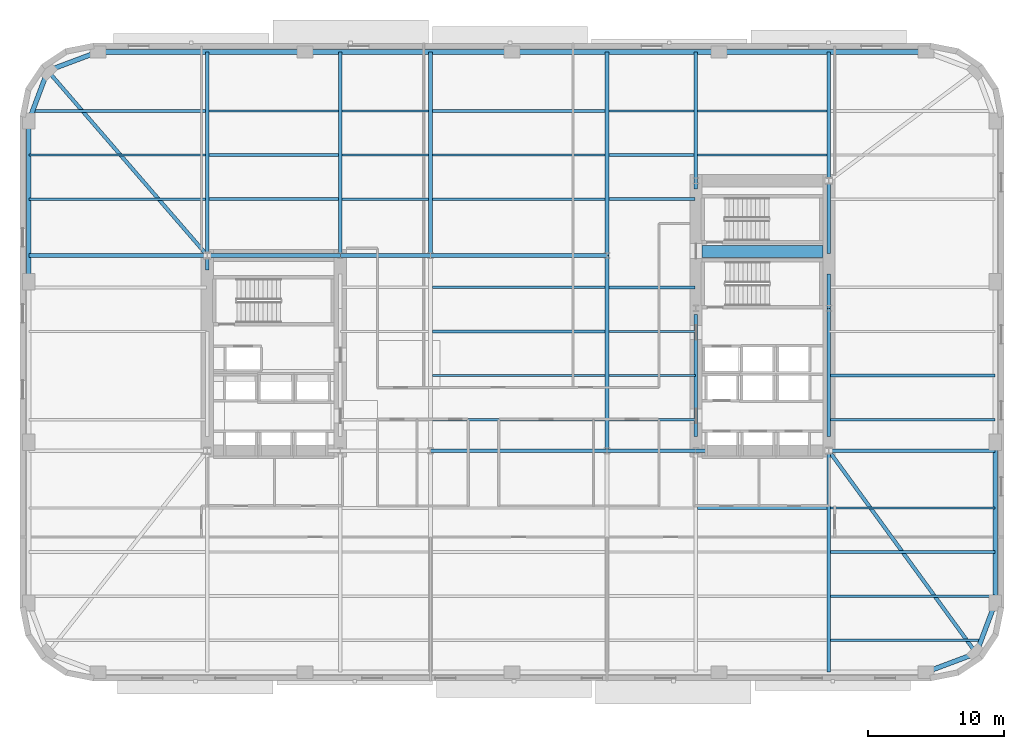
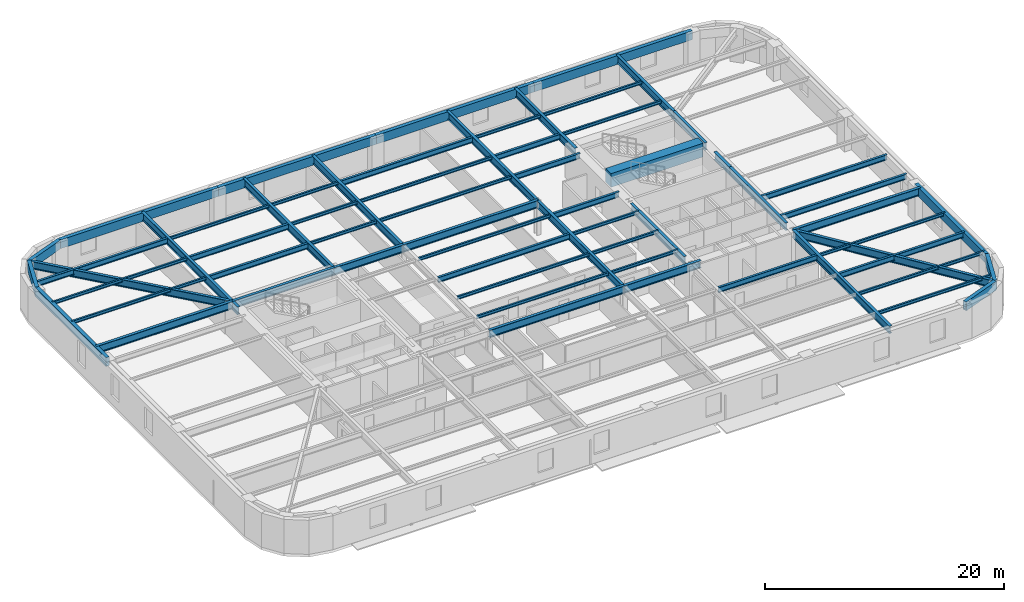
# One storey, part 2 of 14: 64 beams.
"""IFC4 building model written with IfcOpenShell, lengths in metres."""

from ifc_helpers import new_model, si_unit, direction, frame, origin, origin_2d, place, context, subcontext, project, spatial, rectangle, hollow_rectangle, i_section, extrude, material, material_profile, profile_set, type_object, element, save


model = new_model("IFC4")

# Units and contexts
model_context = context("Model", 3, precision=1e-05, world=origin(), true_north=direction((0.0, 1.0)))
body_context = subcontext(model_context, "Body", "Model", "MODEL_VIEW")
ifc_project = project(units=[si_unit("LENGTHUNIT", "METRE"), si_unit("AREAUNIT", "SQUARE_METRE"), si_unit("VOLUMEUNIT", "CUBIC_METRE"), si_unit("PLANEANGLEUNIT", "RADIAN"), si_unit("MASSUNIT", "GRAM", prefix="KILO")], contexts=[model_context])

# Site, building, storey
site_placement = place(None, origin())
site = spatial("IfcSite", under=ifc_project, at=site_placement, CompositionType="ELEMENT")
building_placement = place(site_placement, origin())
building = spatial("IfcBuilding", under=site, at=building_placement, Name="Kolvaren Arena Tower", CompositionType="ELEMENT")
storey_placement = place(building_placement, frame((0.0, 0.0, 79.5)))
storey = spatial("IfcBuildingStorey", under=building, at=storey_placement, Name="L17", CompositionType="ELEMENT", Elevation=79.5)

# Beams
ifc_material_1 = material(Name="Steel CSA G40.21 350W", Category="steel")
ifc_material_profile_1 = material_profile(ifc_material_1, i_section(OverallWidth=0.2119140625, OverallDepth=0.54296875, WebThickness=0.01318359375, FlangeThickness=0.0244140625, FilletRadius=0.013916015625, at=origin_2d()), Name="W530x150")
ifc_profile_set_1 = profile_set([ifc_material_profile_1], Name="Steel CSA G40.21 350W")
beam_type_1 = type_object("IfcBeamType", Name="BEAM-F1", PredefinedType="BEAM", material=ifc_profile_set_1)
beam_1_placement = place(storey_placement, frame((60.485107421875, 12.0, 3.20849609375), z_axis=(1.0, 0.0, 0.0), x_axis=(0.0, 1.0, 0.0)))
element("IfcBeam", 1, at=beam_1_placement, inside=storey, type_object=beam_type_1, Name="Composite Floor Beam (L17)", PredefinedType="BEAM", context=body_context, shape_type="SweptSolid", body=[
    extrude(i_section(OverallWidth=0.2119140625, OverallDepth=0.54296875, WebThickness=0.01318359375, FlangeThickness=0.0244140625, FilletRadius=0.013916015625, at=origin_2d()), origin(), (0.0, 0.0, 1.0), 12.114990234375),
])
beam_2_placement = place(storey_placement, frame((50.68505859375, 15.25, 3.20849609375), z_axis=(1.0, 0.0, 0.0), x_axis=(0.0, 1.0, 0.0)))
element("IfcBeam", 2, at=beam_2_placement, inside=storey, type_object=beam_type_1, Name="Composite Floor Beam (L17)", PredefinedType="BEAM", context=body_context, shape_type="SweptSolid", body=[
    extrude(i_section(OverallWidth=0.2119140625, OverallDepth=0.54296875, WebThickness=0.01318359375, FlangeThickness=0.0244140625, FilletRadius=0.013916015625, at=origin_2d()), origin(), (0.0, 0.0, 1.0), 9.530029296875),
])
for number, where, z_axis, x_axis, name in (
    (3, (60.3701171875, 21.75, 3.20849609375), (1.0, 0.0, 0.0), (0.0, 1.0, 0.0), "Composite Floor Beam (L17)"),
    (4, (60.3701171875, 25.0, 3.20849609375), (1.0, 0.0, 0.0), (0.0, 1.0, 0.0), "Composite Floor Beam (L17)"),
):
    element("IfcBeam", number, at=place(storey_placement, frame(where, z_axis=z_axis, x_axis=x_axis)), inside=storey, type_object=beam_type_1, Name=name, PredefinedType="BEAM", context=body_context, shape_type="SweptSolid", body=[
        extrude(i_section(OverallWidth=0.2119140625, OverallDepth=0.54296875, WebThickness=0.01318359375, FlangeThickness=0.0244140625, FilletRadius=0.013916015625, at=origin_2d()), origin(), (0.0, 0.0, 1.0), 12.22998046875),
    ])
beam_3_placement = place(storey_placement, frame((31.135009765625, 28.25, 3.20849609375), z_axis=(1.0, 0.0, 0.0), x_axis=(0.0, 1.0, 0.0)))
element("IfcBeam", 5, at=beam_3_placement, inside=storey, type_object=beam_type_1, Name="Composite Floor Beam (L17)", PredefinedType="BEAM", context=body_context, shape_type="SweptSolid", body=[
    extrude(i_section(OverallWidth=0.2119140625, OverallDepth=0.54296875, WebThickness=0.01318359375, FlangeThickness=0.0244140625, FilletRadius=0.013916015625, at=origin_2d()), origin(), (0.0, 0.0, 1.0), 12.72998046875),
])
beam_4_placement = place(storey_placement, frame((44.135009765625, 31.5, 3.20849609375), z_axis=(1.0, 0.0, 0.0), x_axis=(0.0, 1.0, 0.0)))
element("IfcBeam", 6, at=beam_4_placement, inside=storey, type_object=beam_type_1, Name="Composite Floor Beam (L17)", PredefinedType="BEAM", context=body_context, shape_type="SweptSolid", body=[
    extrude(i_section(OverallWidth=0.2119140625, OverallDepth=0.54296875, WebThickness=0.01318359375, FlangeThickness=0.0244140625, FilletRadius=0.013916015625, at=origin_2d()), origin(), (0.0, 0.0, 1.0), 6.344970703125),
])
beam_5_placement = place(storey_placement, frame((14.68505859375, 38.0, 3.20849609375), z_axis=(1.0, 0.0, 0.0), x_axis=(0.0, 1.0, 0.0)))
element("IfcBeam", 7, at=beam_5_placement, inside=storey, type_object=beam_type_1, Name="Composite Floor Beam (L17)", PredefinedType="BEAM", context=body_context, shape_type="SweptSolid", body=[
    extrude(i_section(OverallWidth=0.2119140625, OverallDepth=0.54296875, WebThickness=0.01318359375, FlangeThickness=0.0244140625, FilletRadius=0.013916015625, at=origin_2d()), origin(), (0.0, 0.0, 1.0), 9.530029296875),
])
beam_6_placement = place(storey_placement, frame((44.135009765625, 38.0, 3.20849609375), z_axis=(1.0, 0.0, 0.0), x_axis=(0.0, 1.0, 0.0)))
element("IfcBeam", 8, at=beam_6_placement, inside=storey, type_object=beam_type_1, Name="Composite Floor Beam (L17)", PredefinedType="BEAM", context=body_context, shape_type="SweptSolid", body=[
    extrude(i_section(OverallWidth=0.2119140625, OverallDepth=0.54296875, WebThickness=0.01318359375, FlangeThickness=0.0244140625, FilletRadius=0.013916015625, at=origin_2d()), origin(), (0.0, 0.0, 1.0), 6.344970703125),
])
beam_7_placement = place(storey_placement, frame((14.68505859375, 41.25, 3.20849609375), z_axis=(1.0, 0.0, 0.0), x_axis=(0.0, 1.0, 0.0)))
element("IfcBeam", 9, at=beam_7_placement, inside=storey, type_object=beam_type_1, Name="Composite Floor Beam (L17)", PredefinedType="BEAM", context=body_context, shape_type="SweptSolid", body=[
    extrude(i_section(OverallWidth=0.2119140625, OverallDepth=0.54296875, WebThickness=0.01318359375, FlangeThickness=0.0244140625, FilletRadius=0.013916015625, at=origin_2d()), origin(), (0.0, 0.0, 1.0), 9.530029296875),
])
beam_8_placement = place(storey_placement, frame((44.135009765625, 41.25, 3.20849609375), z_axis=(1.0, 0.0, 0.0), x_axis=(0.0, 1.0, 0.0)))
element("IfcBeam", 10, at=beam_8_placement, inside=storey, type_object=beam_type_1, Name="Composite Floor Beam (L17)", PredefinedType="BEAM", context=body_context, shape_type="SweptSolid", body=[
    extrude(i_section(OverallWidth=0.2119140625, OverallDepth=0.54296875, WebThickness=0.01318359375, FlangeThickness=0.0244140625, FilletRadius=0.013916015625, at=origin_2d()), origin(), (0.0, 0.0, 1.0), 6.280029296875),
])
beam_9_placement = place(storey_placement, frame((1.681396484375, 44.5, 3.20849609375), z_axis=(1.0, 0.0, 0.0), x_axis=(0.0, 1.0, 0.0)))
element("IfcBeam", 11, at=beam_9_placement, inside=storey, type_object=beam_type_1, Name="Composite Floor Beam (L17)", PredefinedType="BEAM", context=body_context, shape_type="SweptSolid", body=[
    extrude(i_section(OverallWidth=0.2119140625, OverallDepth=0.54296875, WebThickness=0.01318359375, FlangeThickness=0.0244140625, FilletRadius=0.013916015625, at=origin_2d()), origin(), (0.0, 0.0, 1.0), 12.733642578125),
])
beam_10_placement = place(storey_placement, frame((31.135009765625, 44.5, 3.20849609375), z_axis=(1.0, 0.0, 0.0), x_axis=(0.0, 1.0, 0.0)))
element("IfcBeam", 12, at=beam_10_placement, inside=storey, type_object=beam_type_1, Name="Composite Floor Beam (L17)", PredefinedType="BEAM", context=body_context, shape_type="SweptSolid", body=[
    extrude(i_section(OverallWidth=0.2119140625, OverallDepth=0.54296875, WebThickness=0.01318359375, FlangeThickness=0.0244140625, FilletRadius=0.013916015625, at=origin_2d()), origin(), (0.0, 0.0, 1.0), 12.72998046875),
])
ifc_material_2 = material(Name="Concrete 75 MPa", Category="concrete")
ifc_material_profile_2 = material_profile(ifc_material_2, rectangle(XDim=0.89990234375, YDim=1.39990234375, at=origin_2d()), Name="RC-900x1400")
ifc_profile_set_2 = profile_set([ifc_material_profile_2], Name="Concrete 75 MPa")
beam_type_2 = type_object("IfcBeamType", Name="CB-CORE-1", PredefinedType="BEAM", material=ifc_profile_set_2)
beam_11_placement = place(storey_placement, frame((51.0, 34.14990234375, 3.050048828125), z_axis=(1.0, 0.0, 0.0), x_axis=(0.0, 1.0, 0.0)))
element("IfcBeam", 13, at=beam_11_placement, inside=storey, type_object=beam_type_2, Name="East Core Coupling Beam (L17)", PredefinedType="BEAM", context=body_context, shape_type="SweptSolid", body=[
    extrude(rectangle(XDim=0.89990234375, YDim=1.39990234375, at=origin_2d()), origin(), (0.0, 0.0, 1.0), 8.89990234375),
])
ifc_material_profile_3 = material_profile(ifc_material_1, i_section(OverallWidth=0.27001953125, OverallDepth=0.77294921875, WebThickness=0.019287109375, FlangeThickness=0.033447265625, FilletRadius=0.01806640625, at=origin_2d()), Name="W760x257")
ifc_profile_set_3 = profile_set([ifc_material_profile_3], Name="Steel CSA G40.21 350W")
beam_type_3 = type_object("IfcBeamType", Name="GIRD-T1", PredefinedType="BEAM", material=ifc_profile_set_3)
beam_12_placement = place(storey_placement, frame((71.208740234375, 4.541259765625, 3.093505859375), z_axis=(-0.588737448901, 0.80832432616, 0.0), x_axis=(-0.80832432616, -0.588737448901, 0.0)))
element("IfcBeam", 14, at=beam_12_placement, inside=storey, type_object=beam_type_3, Name="Corner Diagonal Tie Girder (L17)", PredefinedType="BEAM", context=body_context, shape_type="SweptSolid", body=[
    extrude(i_section(OverallWidth=0.27001953125, OverallDepth=0.77294921875, WebThickness=0.019287109375, FlangeThickness=0.033447265625, FilletRadius=0.01806640625, at=origin_2d()), origin(), (0.0, 0.0, 1.0), 18.44384765625),
])
beam_13_placement = place(storey_placement, frame((2.791259765625, 47.458740234375, 3.093505859375), z_axis=(0.653806810332, -0.756661519283, 0.0), x_axis=(0.756661519283, 0.653806810332, 0.0)))
element("IfcBeam", 15, at=beam_13_placement, inside=storey, type_object=beam_type_3, Name="Corner Diagonal Tie Girder (L17)", PredefinedType="BEAM", context=body_context, shape_type="SweptSolid", body=[
    extrude(i_section(OverallWidth=0.27001953125, OverallDepth=0.77294921875, WebThickness=0.019287109375, FlangeThickness=0.033447265625, FilletRadius=0.01806640625, at=origin_2d()), origin(), (0.0, 0.0, 1.0), 17.985107421875),
])
beam_14_placement = place(storey_placement, frame((31.0, 19.449951171875, 3.093505859375), z_axis=(1.0, 0.0, 0.0), x_axis=(0.0, 1.0, 0.0)))
element("IfcBeam", 16, at=beam_14_placement, inside=storey, type_object=beam_type_3, Name="Primary Floor Girder (L17)", PredefinedType="BEAM", context=body_context, shape_type="SweptSolid", body=[
    extrude(i_section(OverallWidth=0.27001953125, OverallDepth=0.77294921875, WebThickness=0.019287109375, FlangeThickness=0.033447265625, FilletRadius=0.01806640625, at=origin_2d()), origin(), (0.0, 0.0, 1.0), 13.0),
])
beam_15_placement = place(storey_placement, frame((44.0, 19.449951171875, 3.093505859375), z_axis=(1.0, 0.0, 0.0), x_axis=(0.0, 1.0, 0.0)))
element("IfcBeam", 17, at=beam_15_placement, inside=storey, type_object=beam_type_3, Name="Primary Floor Girder (L17)", PredefinedType="BEAM", context=body_context, shape_type="SweptSolid", body=[
    extrude(i_section(OverallWidth=0.27001953125, OverallDepth=0.77294921875, WebThickness=0.019287109375, FlangeThickness=0.033447265625, FilletRadius=0.01806640625, at=origin_2d()), origin(), (0.0, 0.0, 1.0), 7.4150390625),
])
beam_16_placement = place(storey_placement, frame((60.35009765625, 19.449951171875, 3.093505859375), z_axis=(1.0, 0.0, 0.0), x_axis=(0.0, 1.0, 0.0)))
element("IfcBeam", 18, at=beam_16_placement, inside=storey, type_object=beam_type_3, Name="Primary Floor Girder (L17)", PredefinedType="BEAM", context=body_context, shape_type="SweptSolid", body=[
    extrude(i_section(OverallWidth=0.27001953125, OverallDepth=0.77294921875, WebThickness=0.019287109375, FlangeThickness=0.033447265625, FilletRadius=0.01806640625, at=origin_2d()), origin(), (0.0, 0.0, 1.0), 12.25),
])
beam_17_placement = place(storey_placement, frame((1.39990234375, 33.85009765625, 3.093505859375), z_axis=(1.0, 0.0, 0.0), x_axis=(0.0, 1.0, 0.0)))
element("IfcBeam", 19, at=beam_17_placement, inside=storey, type_object=beam_type_3, Name="Primary Floor Girder (L17)", PredefinedType="BEAM", context=body_context, shape_type="SweptSolid", body=[
    extrude(i_section(OverallWidth=0.27001953125, OverallDepth=0.77294921875, WebThickness=0.019287109375, FlangeThickness=0.033447265625, FilletRadius=0.01806640625, at=origin_2d()), origin(), (0.0, 0.0, 1.0), 13.150146484375),
])
beam_18_placement = place(storey_placement, frame((14.550048828125, 33.85009765625, 3.093505859375), z_axis=(1.0, 0.0, 0.0), x_axis=(0.0, 1.0, 0.0)))
element("IfcBeam", 20, at=beam_18_placement, inside=storey, type_object=beam_type_3, Name="Primary Floor Girder (L17)", PredefinedType="BEAM", context=body_context, shape_type="SweptSolid", body=[
    extrude(i_section(OverallWidth=0.27001953125, OverallDepth=0.77294921875, WebThickness=0.019287109375, FlangeThickness=0.033447265625, FilletRadius=0.01806640625, at=origin_2d()), origin(), (0.0, 0.0, 1.0), 9.800048828125),
])
beam_19_placement = place(storey_placement, frame((24.35009765625, 33.85009765625, 3.093505859375), z_axis=(1.0, 0.0, 0.0), x_axis=(0.0, 1.0, 0.0)))
element("IfcBeam", 21, at=beam_19_placement, inside=storey, type_object=beam_type_3, Name="Primary Floor Girder (L17)", PredefinedType="BEAM", context=body_context, shape_type="SweptSolid", body=[
    extrude(i_section(OverallWidth=0.27001953125, OverallDepth=0.77294921875, WebThickness=0.019287109375, FlangeThickness=0.033447265625, FilletRadius=0.01806640625, at=origin_2d()), origin(), (0.0, 0.0, 1.0), 6.64990234375),
])
beam_20_placement = place(storey_placement, frame((31.0, 33.85009765625, 3.093505859375), z_axis=(1.0, 0.0, 0.0), x_axis=(0.0, 1.0, 0.0)))
element("IfcBeam", 22, at=beam_20_placement, inside=storey, type_object=beam_type_3, Name="Primary Floor Girder (L17)", PredefinedType="BEAM", context=body_context, shape_type="SweptSolid", body=[
    extrude(i_section(OverallWidth=0.27001953125, OverallDepth=0.77294921875, WebThickness=0.019287109375, FlangeThickness=0.033447265625, FilletRadius=0.01806640625, at=origin_2d()), origin(), (0.0, 0.0, 1.0), 13.0),
])
beam_21_placement = place(storey_placement, frame((14.550048828125, 32.7900390625, 3.093505859375), z_axis=(0.0, 1.0, 0.0), x_axis=(-1.0, 0.0, 0.0)))
element("IfcBeam", 23, at=beam_21_placement, inside=storey, type_object=beam_type_3, Name="Primary Floor Girder (L17)", PredefinedType="BEAM", context=body_context, shape_type="SweptSolid", body=[
    extrude(i_section(OverallWidth=0.27001953125, OverallDepth=0.77294921875, WebThickness=0.019287109375, FlangeThickness=0.033447265625, FilletRadius=0.01806640625, at=origin_2d()), origin(), (0.0, 0.0, 1.0), 16.06005859375),
])
for number, where, z_axis, x_axis, name in (
    (24, (24.35009765625, 33.85009765625, 3.093505859375), (0.0, 1.0, 0.0), (-1.0, 0.0, 0.0), "Primary Floor Girder (L17)"),
    (25, (31.0, 33.85009765625, 3.093505859375), (0.0, 1.0, 0.0), (-1.0, 0.0, 0.0), "Primary Floor Girder (L17)"),
):
    element("IfcBeam", number, at=place(storey_placement, frame(where, z_axis=z_axis, x_axis=x_axis)), inside=storey, type_object=beam_type_3, Name=name, PredefinedType="BEAM", context=body_context, shape_type="SweptSolid", body=[
        extrude(i_section(OverallWidth=0.27001953125, OverallDepth=0.77294921875, WebThickness=0.019287109375, FlangeThickness=0.033447265625, FilletRadius=0.01806640625, at=origin_2d()), origin(), (0.0, 0.0, 1.0), 15.0),
    ])
beam_22_placement = place(storey_placement, frame((44.0, 19.449951171875, 3.093505859375), z_axis=(0.0, 1.0, 0.0), x_axis=(-1.0, 0.0, 0.0)))
element("IfcBeam", 26, at=beam_22_placement, inside=storey, type_object=beam_type_3, Name="Primary Floor Girder (L17)", PredefinedType="BEAM", context=body_context, shape_type="SweptSolid", body=[
    extrude(i_section(OverallWidth=0.27001953125, OverallDepth=0.77294921875, WebThickness=0.019287109375, FlangeThickness=0.033447265625, FilletRadius=0.01806640625, at=origin_2d()), origin(), (0.0, 0.0, 1.0), 14.400146484375),
])
beam_23_placement = place(storey_placement, frame((44.0, 33.85009765625, 3.093505859375), z_axis=(0.0, 1.0, 0.0), x_axis=(-1.0, 0.0, 0.0)))
element("IfcBeam", 27, at=beam_23_placement, inside=storey, type_object=beam_type_3, Name="Primary Floor Girder (L17)", PredefinedType="BEAM", context=body_context, shape_type="SweptSolid", body=[
    extrude(i_section(OverallWidth=0.27001953125, OverallDepth=0.77294921875, WebThickness=0.019287109375, FlangeThickness=0.033447265625, FilletRadius=0.01806640625, at=origin_2d()), origin(), (0.0, 0.0, 1.0), 15.0),
])
beam_24_placement = place(storey_placement, frame((50.550048828125, 20.5, 3.093505859375), z_axis=(0.0, 1.0, 0.0), x_axis=(-1.0, 0.0, 0.0)))
element("IfcBeam", 28, at=beam_24_placement, inside=storey, type_object=beam_type_3, Name="Primary Floor Girder (L17)", PredefinedType="BEAM", context=body_context, shape_type="SweptSolid", body=[
    extrude(i_section(OverallWidth=0.27001953125, OverallDepth=0.77294921875, WebThickness=0.019287109375, FlangeThickness=0.033447265625, FilletRadius=0.01806640625, at=origin_2d()), origin(), (0.0, 0.0, 1.0), 8.989990234375),
])
beam_25_placement = place(storey_placement, frame((50.550048828125, 38.760009765625, 3.093505859375), z_axis=(0.0, 1.0, 0.0), x_axis=(-1.0, 0.0, 0.0)))
element("IfcBeam", 29, at=beam_25_placement, inside=storey, type_object=beam_type_3, Name="Primary Floor Girder (L17)", PredefinedType="BEAM", context=body_context, shape_type="SweptSolid", body=[
    extrude(i_section(OverallWidth=0.27001953125, OverallDepth=0.77294921875, WebThickness=0.019287109375, FlangeThickness=0.033447265625, FilletRadius=0.01806640625, at=origin_2d()), origin(), (0.0, 0.0, 1.0), 10.090087890625),
])
beam_26_placement = place(storey_placement, frame((60.35009765625, 3.14990234375, 3.093505859375), z_axis=(0.0, 1.0, 0.0), x_axis=(-1.0, 0.0, 0.0)))
element("IfcBeam", 30, at=beam_26_placement, inside=storey, type_object=beam_type_3, Name="Primary Floor Girder (L17)", PredefinedType="BEAM", context=body_context, shape_type="SweptSolid", body=[
    extrude(i_section(OverallWidth=0.27001953125, OverallDepth=0.77294921875, WebThickness=0.019287109375, FlangeThickness=0.033447265625, FilletRadius=0.01806640625, at=origin_2d()), origin(), (0.0, 0.0, 1.0), 16.300048828125),
])
beam_27_placement = place(storey_placement, frame((60.35009765625, 20.5, 3.093505859375), z_axis=(0.0, 1.0, 0.0), x_axis=(-1.0, 0.0, 0.0)))
element("IfcBeam", 31, at=beam_27_placement, inside=storey, type_object=beam_type_3, Name="Primary Floor Girder (L17)", PredefinedType="BEAM", context=body_context, shape_type="SweptSolid", body=[
    extrude(i_section(OverallWidth=0.27001953125, OverallDepth=0.77294921875, WebThickness=0.019287109375, FlangeThickness=0.033447265625, FilletRadius=0.01806640625, at=origin_2d()), origin(), (0.0, 0.0, 1.0), 9.449951171875),
])
beam_28_placement = place(storey_placement, frame((60.35009765625, 29.949951171875, 3.093505859375), z_axis=(0.0, 1.0, 0.0), x_axis=(-1.0, 0.0, 0.0)))
element("IfcBeam", 32, at=beam_28_placement, inside=storey, type_object=beam_type_3, Name="Primary Floor Girder (L17)", PredefinedType="BEAM", context=body_context, shape_type="SweptSolid", body=[
    extrude(i_section(OverallWidth=0.27001953125, OverallDepth=0.77294921875, WebThickness=0.019287109375, FlangeThickness=0.033447265625, FilletRadius=0.01806640625, at=origin_2d()), origin(), (0.0, 0.0, 1.0), 2.550048828125),
])
beam_29_placement = place(storey_placement, frame((60.35009765625, 33.985107421875, 3.093505859375), z_axis=(0.0, 1.0, 0.0), x_axis=(-1.0, 0.0, 0.0)))
element("IfcBeam", 33, at=beam_29_placement, inside=storey, type_object=beam_type_3, Name="Primary Floor Girder (L17)", PredefinedType="BEAM", context=body_context, shape_type="SweptSolid", body=[
    extrude(i_section(OverallWidth=0.27001953125, OverallDepth=0.77294921875, WebThickness=0.019287109375, FlangeThickness=0.033447265625, FilletRadius=0.01806640625, at=origin_2d()), origin(), (0.0, 0.0, 1.0), 5.364990234375),
])
beam_30_placement = place(storey_placement, frame((60.35009765625, 39.35009765625, 3.093505859375), z_axis=(0.0, 1.0, 0.0), x_axis=(-1.0, 0.0, 0.0)))
element("IfcBeam", 34, at=beam_30_placement, inside=storey, type_object=beam_type_3, Name="Primary Floor Girder (L17)", PredefinedType="BEAM", context=body_context, shape_type="SweptSolid", body=[
    extrude(i_section(OverallWidth=0.27001953125, OverallDepth=0.77294921875, WebThickness=0.019287109375, FlangeThickness=0.033447265625, FilletRadius=0.01806640625, at=origin_2d()), origin(), (0.0, 0.0, 1.0), 9.5),
])
ifc_material_profile_4 = material_profile(ifc_material_1, i_section(OverallWidth=0.1669921875, OverallDepth=0.31689453125, WebThickness=0.007568359375, FlangeThickness=0.01318359375, FilletRadius=0.010009765625, at=origin_2d()), Name="W310x52")
ifc_profile_set_4 = profile_set([ifc_material_profile_4], Name="Steel CSA G40.21 350W")
beam_type_4 = type_object("IfcBeamType", Name="JOIST-02", PredefinedType="JOIST", material=ifc_profile_set_4)
beam_31_placement = place(storey_placement, frame((60.485107421875, 5.5, 3.321533203125), z_axis=(1.0, 0.0, 0.0), x_axis=(0.0, 1.0, 0.0)))
element("IfcBeam", 35, at=beam_31_placement, inside=storey, type_object=beam_type_4, Name="Composite Floor Joist (L17)", PredefinedType="JOIST", context=body_context, shape_type="SweptSolid", body=[
    extrude(i_section(OverallWidth=0.1669921875, OverallDepth=0.31689453125, WebThickness=0.007568359375, FlangeThickness=0.01318359375, FilletRadius=0.010009765625, at=origin_2d()), origin(), (0.0, 0.0, 1.0), 11.08349609375),
])
for number, where, z_axis, x_axis, name in (
    (36, (60.485107421875, 8.75, 3.321533203125), (1.0, 0.0, 0.0), (0.0, 1.0, 0.0), "Composite Floor Joist (L17)"),
    (37, (60.485107421875, 15.25, 3.321533203125), (1.0, 0.0, 0.0), (0.0, 1.0, 0.0), "Composite Floor Joist (L17)"),
):
    element("IfcBeam", number, at=place(storey_placement, frame(where, z_axis=z_axis, x_axis=x_axis)), inside=storey, type_object=beam_type_4, Name=name, PredefinedType="JOIST", context=body_context, shape_type="SweptSolid", body=[
        extrude(i_section(OverallWidth=0.1669921875, OverallDepth=0.31689453125, WebThickness=0.007568359375, FlangeThickness=0.01318359375, FilletRadius=0.010009765625, at=origin_2d()), origin(), (0.0, 0.0, 1.0), 12.114990234375),
    ])
beam_32_placement = place(storey_placement, frame((31.135009765625, 21.75, 3.321533203125), z_axis=(1.0, 0.0, 0.0), x_axis=(0.0, 1.0, 0.0)))
element("IfcBeam", 38, at=beam_32_placement, inside=storey, type_object=beam_type_4, Name="Composite Floor Joist (L17)", PredefinedType="JOIST", context=body_context, shape_type="SweptSolid", body=[
    extrude(i_section(OverallWidth=0.1669921875, OverallDepth=0.31689453125, WebThickness=0.007568359375, FlangeThickness=0.01318359375, FilletRadius=0.010009765625, at=origin_2d()), origin(), (0.0, 0.0, 1.0), 12.72998046875),
])
beam_33_placement = place(storey_placement, frame((44.135009765625, 21.75, 3.321533203125), z_axis=(1.0, 0.0, 0.0), x_axis=(0.0, 1.0, 0.0)))
element("IfcBeam", 39, at=beam_33_placement, inside=storey, type_object=beam_type_4, Name="Composite Floor Joist (L17)", PredefinedType="JOIST", context=body_context, shape_type="SweptSolid", body=[
    extrude(i_section(OverallWidth=0.1669921875, OverallDepth=0.31689453125, WebThickness=0.007568359375, FlangeThickness=0.01318359375, FilletRadius=0.010009765625, at=origin_2d()), origin(), (0.0, 0.0, 1.0), 6.39501953125),
])
beam_34_placement = place(storey_placement, frame((31.135009765625, 25.0, 3.321533203125), z_axis=(1.0, 0.0, 0.0), x_axis=(0.0, 1.0, 0.0)))
element("IfcBeam", 40, at=beam_34_placement, inside=storey, type_object=beam_type_4, Name="Composite Floor Joist (L17)", PredefinedType="JOIST", context=body_context, shape_type="SweptSolid", body=[
    extrude(i_section(OverallWidth=0.1669921875, OverallDepth=0.31689453125, WebThickness=0.007568359375, FlangeThickness=0.01318359375, FilletRadius=0.010009765625, at=origin_2d()), origin(), (0.0, 0.0, 1.0), 12.72998046875),
])
for number, where, z_axis, x_axis, name in (
    (41, (44.135009765625, 25.0, 3.321533203125), (1.0, 0.0, 0.0), (0.0, 1.0, 0.0), "Composite Floor Joist (L17)"),
    (42, (44.135009765625, 28.25, 3.321533203125), (1.0, 0.0, 0.0), (0.0, 1.0, 0.0), "Composite Floor Joist (L17)"),
):
    element("IfcBeam", number, at=place(storey_placement, frame(where, z_axis=z_axis, x_axis=x_axis)), inside=storey, type_object=beam_type_4, Name=name, PredefinedType="JOIST", context=body_context, shape_type="SweptSolid", body=[
        extrude(i_section(OverallWidth=0.1669921875, OverallDepth=0.31689453125, WebThickness=0.007568359375, FlangeThickness=0.01318359375, FilletRadius=0.010009765625, at=origin_2d()), origin(), (0.0, 0.0, 1.0), 6.39501953125),
    ])
beam_35_placement = place(storey_placement, frame((31.135009765625, 31.5, 3.321533203125), z_axis=(1.0, 0.0, 0.0), x_axis=(0.0, 1.0, 0.0)))
element("IfcBeam", 43, at=beam_35_placement, inside=storey, type_object=beam_type_4, Name="Composite Floor Joist (L17)", PredefinedType="JOIST", context=body_context, shape_type="SweptSolid", body=[
    extrude(i_section(OverallWidth=0.1669921875, OverallDepth=0.31689453125, WebThickness=0.007568359375, FlangeThickness=0.01318359375, FilletRadius=0.010009765625, at=origin_2d()), origin(), (0.0, 0.0, 1.0), 12.72998046875),
])
beam_36_placement = place(storey_placement, frame((1.39990234375, 38.0, 3.321533203125), z_axis=(1.0, 0.0, 0.0), x_axis=(0.0, 1.0, 0.0)))
element("IfcBeam", 44, at=beam_36_placement, inside=storey, type_object=beam_type_4, Name="Composite Floor Joist (L17)", PredefinedType="JOIST", context=body_context, shape_type="SweptSolid", body=[
    extrude(i_section(OverallWidth=0.1669921875, OverallDepth=0.31689453125, WebThickness=0.007568359375, FlangeThickness=0.01318359375, FilletRadius=0.010009765625, at=origin_2d()), origin(), (0.0, 0.0, 1.0), 13.01513671875),
])
beam_37_placement = place(storey_placement, frame((24.485107421875, 38.0, 3.321533203125), z_axis=(1.0, 0.0, 0.0), x_axis=(0.0, 1.0, 0.0)))
element("IfcBeam", 45, at=beam_37_placement, inside=storey, type_object=beam_type_4, Name="Composite Floor Joist (L17)", PredefinedType="JOIST", context=body_context, shape_type="SweptSolid", body=[
    extrude(i_section(OverallWidth=0.1669921875, OverallDepth=0.31689453125, WebThickness=0.007568359375, FlangeThickness=0.01318359375, FilletRadius=0.010009765625, at=origin_2d()), origin(), (0.0, 0.0, 1.0), 6.3798828125),
])
beam_38_placement = place(storey_placement, frame((31.135009765625, 38.0, 3.321533203125), z_axis=(1.0, 0.0, 0.0), x_axis=(0.0, 1.0, 0.0)))
element("IfcBeam", 46, at=beam_38_placement, inside=storey, type_object=beam_type_4, Name="Composite Floor Joist (L17)", PredefinedType="JOIST", context=body_context, shape_type="SweptSolid", body=[
    extrude(i_section(OverallWidth=0.1669921875, OverallDepth=0.31689453125, WebThickness=0.007568359375, FlangeThickness=0.01318359375, FilletRadius=0.010009765625, at=origin_2d()), origin(), (0.0, 0.0, 1.0), 12.72998046875),
])
beam_39_placement = place(storey_placement, frame((1.39990234375, 41.25, 3.321533203125), z_axis=(1.0, 0.0, 0.0), x_axis=(0.0, 1.0, 0.0)))
element("IfcBeam", 47, at=beam_39_placement, inside=storey, type_object=beam_type_4, Name="Composite Floor Joist (L17)", PredefinedType="JOIST", context=body_context, shape_type="SweptSolid", body=[
    extrude(i_section(OverallWidth=0.1669921875, OverallDepth=0.31689453125, WebThickness=0.007568359375, FlangeThickness=0.01318359375, FilletRadius=0.010009765625, at=origin_2d()), origin(), (0.0, 0.0, 1.0), 13.01513671875),
])
beam_40_placement = place(storey_placement, frame((24.485107421875, 41.25, 3.321533203125), z_axis=(1.0, 0.0, 0.0), x_axis=(0.0, 1.0, 0.0)))
element("IfcBeam", 48, at=beam_40_placement, inside=storey, type_object=beam_type_4, Name="Composite Floor Joist (L17)", PredefinedType="JOIST", context=body_context, shape_type="SweptSolid", body=[
    extrude(i_section(OverallWidth=0.1669921875, OverallDepth=0.31689453125, WebThickness=0.007568359375, FlangeThickness=0.01318359375, FilletRadius=0.010009765625, at=origin_2d()), origin(), (0.0, 0.0, 1.0), 6.3798828125),
])
beam_41_placement = place(storey_placement, frame((31.135009765625, 41.25, 3.321533203125), z_axis=(1.0, 0.0, 0.0), x_axis=(0.0, 1.0, 0.0)))
element("IfcBeam", 49, at=beam_41_placement, inside=storey, type_object=beam_type_4, Name="Composite Floor Joist (L17)", PredefinedType="JOIST", context=body_context, shape_type="SweptSolid", body=[
    extrude(i_section(OverallWidth=0.1669921875, OverallDepth=0.31689453125, WebThickness=0.007568359375, FlangeThickness=0.01318359375, FilletRadius=0.010009765625, at=origin_2d()), origin(), (0.0, 0.0, 1.0), 12.72998046875),
])
for number, where, z_axis, x_axis, name in (
    (50, (50.68505859375, 41.25, 3.321533203125), (1.0, 0.0, 0.0), (0.0, 1.0, 0.0), "Composite Floor Joist (L17)"),
    (51, (14.68505859375, 44.5, 3.321533203125), (1.0, 0.0, 0.0), (0.0, 1.0, 0.0), "Composite Floor Joist (L17)"),
):
    element("IfcBeam", number, at=place(storey_placement, frame(where, z_axis=z_axis, x_axis=x_axis)), inside=storey, type_object=beam_type_4, Name=name, PredefinedType="JOIST", context=body_context, shape_type="SweptSolid", body=[
        extrude(i_section(OverallWidth=0.1669921875, OverallDepth=0.31689453125, WebThickness=0.007568359375, FlangeThickness=0.01318359375, FilletRadius=0.010009765625, at=origin_2d()), origin(), (0.0, 0.0, 1.0), 9.530029296875),
    ])
beam_42_placement = place(storey_placement, frame((24.485107421875, 44.5, 3.321533203125), z_axis=(1.0, 0.0, 0.0), x_axis=(0.0, 1.0, 0.0)))
element("IfcBeam", 52, at=beam_42_placement, inside=storey, type_object=beam_type_4, Name="Composite Floor Joist (L17)", PredefinedType="JOIST", context=body_context, shape_type="SweptSolid", body=[
    extrude(i_section(OverallWidth=0.1669921875, OverallDepth=0.31689453125, WebThickness=0.007568359375, FlangeThickness=0.01318359375, FilletRadius=0.010009765625, at=origin_2d()), origin(), (0.0, 0.0, 1.0), 6.3798828125),
])
beam_43_placement = place(storey_placement, frame((44.135009765625, 44.5, 3.321533203125), z_axis=(1.0, 0.0, 0.0), x_axis=(0.0, 1.0, 0.0)))
element("IfcBeam", 53, at=beam_43_placement, inside=storey, type_object=beam_type_4, Name="Composite Floor Joist (L17)", PredefinedType="JOIST", context=body_context, shape_type="SweptSolid", body=[
    extrude(i_section(OverallWidth=0.1669921875, OverallDepth=0.31689453125, WebThickness=0.007568359375, FlangeThickness=0.01318359375, FilletRadius=0.010009765625, at=origin_2d()), origin(), (0.0, 0.0, 1.0), 6.280029296875),
])
beam_44_placement = place(storey_placement, frame((50.68505859375, 44.5, 3.321533203125), z_axis=(1.0, 0.0, 0.0), x_axis=(0.0, 1.0, 0.0)))
element("IfcBeam", 54, at=beam_44_placement, inside=storey, type_object=beam_type_4, Name="Composite Floor Joist (L17)", PredefinedType="JOIST", context=body_context, shape_type="SweptSolid", body=[
    extrude(i_section(OverallWidth=0.1669921875, OverallDepth=0.31689453125, WebThickness=0.007568359375, FlangeThickness=0.01318359375, FilletRadius=0.010009765625, at=origin_2d()), origin(), (0.0, 0.0, 1.0), 9.530029296875),
])
ifc_material_3 = material(Name="Steel CSA G40.21 350WT", Category="steel")
ifc_material_profile_5 = material_profile(ifc_material_3, hollow_rectangle(XDim=0.35009765625, YDim=0.89990234375, WallThickness=0.02001953125, at=origin_2d()), Name="HSS 900x350x20")
ifc_profile_set_5 = profile_set([ifc_material_profile_5], Name="Steel CSA G40.21 350WT")
beam_type_5 = type_object("IfcBeamType", Name="SPAND-01", PredefinedType="SPANDREL", material=ifc_profile_set_5)
for number, where, z_axis, x_axis, name in (
    (55, (67.5, 3.14990234375, 3.030029296875), (0.93628104365, 0.351251771955, 0.0), (-0.351251771955, 0.93628104365, 0.0), "Perimeter Spandrel Beam (L17)"),
    (56, (71.208740234375, 4.541259765625, 3.030029296875), (0.351251771955, 0.93628104365, 0.0), (-0.93628104365, 0.351251771955, 0.0), "Perimeter Spandrel Beam (L17)"),
):
    element("IfcBeam", number, at=place(storey_placement, frame(where, z_axis=z_axis, x_axis=x_axis)), inside=storey, type_object=beam_type_5, Name=name, PredefinedType="SPANDREL", context=body_context, shape_type="SweptSolid", body=[
        extrude(hollow_rectangle(XDim=0.35009765625, YDim=0.89990234375, WallThickness=0.02001953125, at=origin_2d()), origin(), (0.0, 0.0, 1.0), 3.961181640625),
    ])
beam_45_placement = place(storey_placement, frame((72.60009765625, 8.25, 3.030029296875), z_axis=(0.0, 1.0, 0.0), x_axis=(-1.0, 0.0, 0.0)))
element("IfcBeam", 57, at=beam_45_placement, inside=storey, type_object=beam_type_5, Name="Perimeter Spandrel Beam (L17)", PredefinedType="SPANDREL", context=body_context, shape_type="SweptSolid", body=[
    extrude(hollow_rectangle(XDim=0.35009765625, YDim=0.89990234375, WallThickness=0.02001953125, at=origin_2d()), origin(), (0.0, 0.0, 1.0), 11.833251953125),
])
for number, where, z_axis, x_axis, name in (
    (58, (67.5, 48.85009765625, 3.030029296875), (-1.0, 0.0, 0.0), (0.0, -1.0, 0.0), "Perimeter Spandrel Beam (L17)"),
    (59, (52.25, 48.85009765625, 3.030029296875), (-1.0, 0.0, 0.0), (0.0, -1.0, 0.0), "Perimeter Spandrel Beam (L17)"),
    (60, (37.0, 48.85009765625, 3.030029296875), (-1.0, 0.0, 0.0), (0.0, -1.0, 0.0), "Perimeter Spandrel Beam (L17)"),
    (61, (21.75, 48.85009765625, 3.030029296875), (-1.0, 0.0, 0.0), (0.0, -1.0, 0.0), "Perimeter Spandrel Beam (L17)"),
):
    element("IfcBeam", number, at=place(storey_placement, frame(where, z_axis=z_axis, x_axis=x_axis)), inside=storey, type_object=beam_type_5, Name=name, PredefinedType="SPANDREL", context=body_context, shape_type="SweptSolid", body=[
        extrude(hollow_rectangle(XDim=0.35009765625, YDim=0.89990234375, WallThickness=0.02001953125, at=origin_2d()), origin(), (0.0, 0.0, 1.0), 15.25),
    ])
for number, where, z_axis, x_axis, name in (
    (62, (6.5, 48.85009765625, 3.030029296875), (-0.93628104365, -0.351251771955, 0.0), (0.351251771955, -0.93628104365, 0.0), "Perimeter Spandrel Beam (L17)"),
    (63, (2.791259765625, 47.458740234375, 3.030029296875), (-0.351251771955, -0.93628104365, 0.0), (0.93628104365, -0.351251771955, 0.0), "Perimeter Spandrel Beam (L17)"),
):
    element("IfcBeam", number, at=place(storey_placement, frame(where, z_axis=z_axis, x_axis=x_axis)), inside=storey, type_object=beam_type_5, Name=name, PredefinedType="SPANDREL", context=body_context, shape_type="SweptSolid", body=[
        extrude(hollow_rectangle(XDim=0.35009765625, YDim=0.89990234375, WallThickness=0.02001953125, at=origin_2d()), origin(), (0.0, 0.0, 1.0), 3.961181640625),
    ])
beam_46_placement = place(storey_placement, frame((1.39990234375, 43.75, 3.030029296875), z_axis=(0.0, -1.0, 0.0), x_axis=(1.0, 0.0, 0.0)))
element("IfcBeam", 64, at=beam_46_placement, inside=storey, type_object=beam_type_5, Name="Perimeter Spandrel Beam (L17)", PredefinedType="SPANDREL", context=body_context, shape_type="SweptSolid", body=[
    extrude(hollow_rectangle(XDim=0.35009765625, YDim=0.89990234375, WallThickness=0.02001953125, at=origin_2d()), origin(), (0.0, 0.0, 1.0), 11.833251953125),
])

save(model, "model.ifc")
